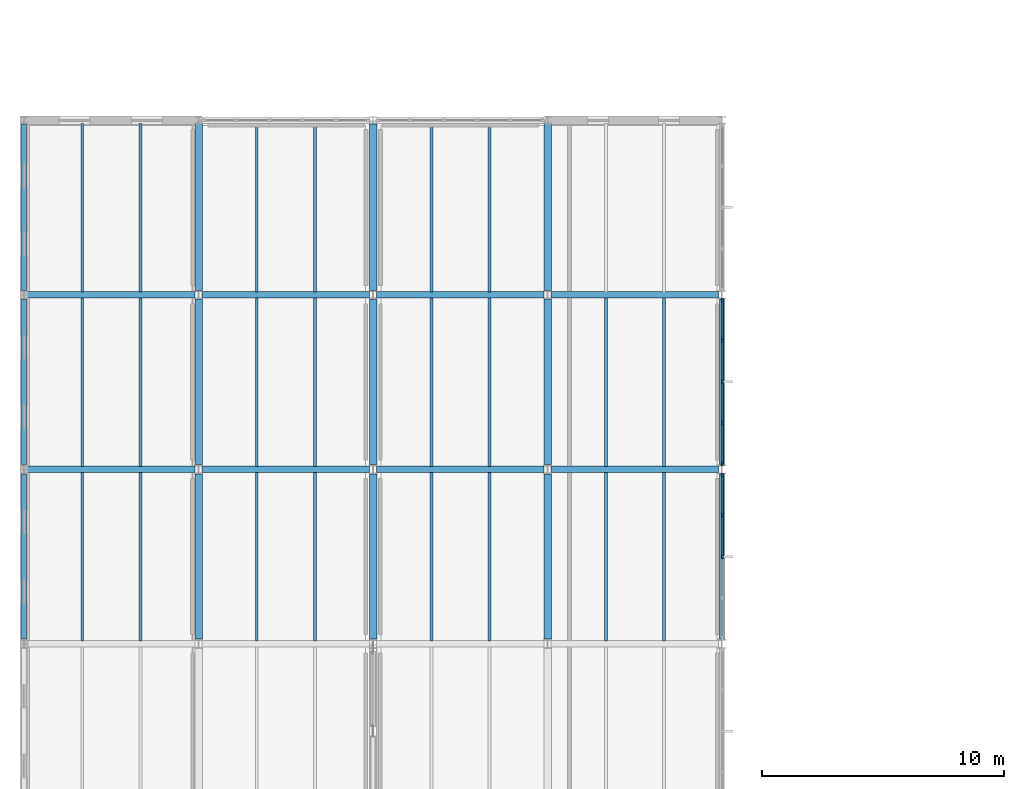
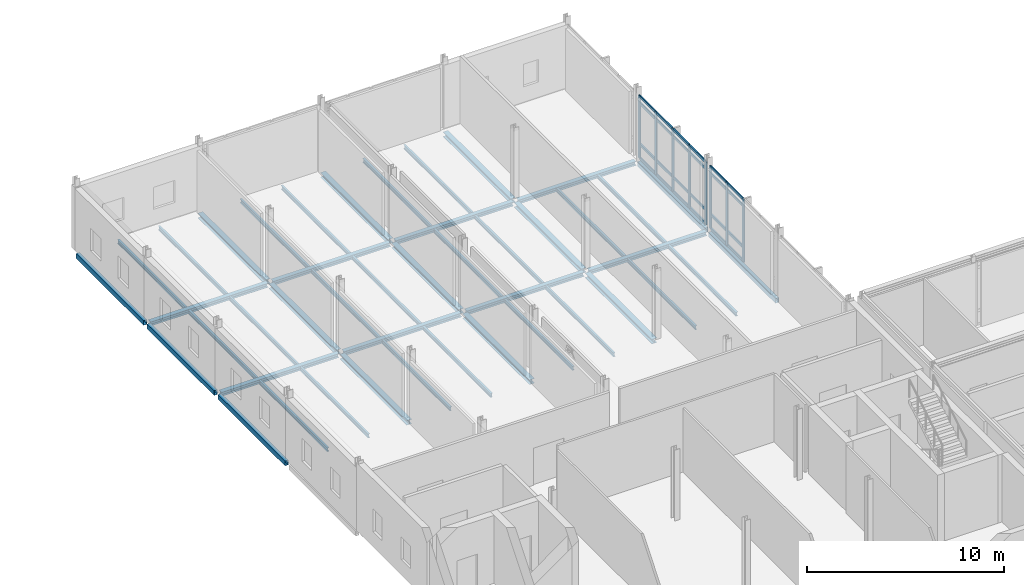
# One storey, part 12 of 43: 44 beams, 32 members, 2 elements without a shape of their own.
"""IFC4 building model written with IfcOpenShell, lengths in metres."""

from ifc_helpers import new_model, si_unit, direction, frame, origin, origin_2d, place, context, subcontext, project, spatial, rectangle, hollow_rectangle, i_section, extrude, material, layer, layer_set, material_profile, profile_set, type_object, element, aggregate, save


model = new_model("IFC4")

# Units and contexts
model_context = context("Model", 3, precision=1e-05, world=origin(), true_north=direction((0.0, 1.0)))
body_context = subcontext(model_context, "Body", "Model", "MODEL_VIEW")
ifc_project = project(units=[si_unit("LENGTHUNIT", "METRE"), si_unit("AREAUNIT", "SQUARE_METRE"), si_unit("VOLUMEUNIT", "CUBIC_METRE"), si_unit("PLANEANGLEUNIT", "RADIAN"), si_unit("MASSUNIT", "GRAM", prefix="KILO")], contexts=[model_context])

# Site, building, storey
site_placement = place(None, origin())
site = spatial("IfcSite", under=ifc_project, at=site_placement, CompositionType="ELEMENT")
building_placement = place(site_placement, origin())
building = spatial("IfcBuilding", under=site, at=building_placement, Name="Zarrinpeak Specialist Clinic", CompositionType="ELEMENT")
storey_placement = place(building_placement, frame((0.0, 0.0, 18.39990234375)))
storey = spatial("IfcBuildingStorey", under=building, at=storey_placement, Name="L04", CompositionType="ELEMENT", Elevation=18.39990234375)

# Beams
ifc_material_1 = material(Name="Steel S355", Category="steel")
ifc_material_profile_1 = material_profile(ifc_material_1, i_section(OverallWidth=0.260009765625, OverallDepth=0.25, WebThickness=0.007568359375, FlangeThickness=0.012451171875, FilletRadius=0.02392578125, at=origin_2d()), Name="HEA 260")
ifc_profile_set_1 = profile_set([ifc_material_profile_1], Name="Steel S355")
beam_type_1 = type_object("IfcBeamType", Name="BM-HEA260", PredefinedType="BEAM", material=ifc_profile_set_1)
for number, where, z_axis, x_axis, name in (
    (1, (0.14794921875, 36.0, -0.324951171875), (1.0, 0.0, 0.0), (0.0, 1.0, 0.0), "L04 Primary Floor Girder BM-L04-X1851"),
    (2, (7.347900390625, 36.0, -0.324951171875), (1.0, 0.0, 0.0), (0.0, 1.0, 0.0), "L04 Primary Floor Girder BM-L04-X1852"),
):
    element("IfcBeam", number, at=place(storey_placement, frame(where, z_axis=z_axis, x_axis=x_axis)), inside=storey, type_object=beam_type_1, Name=name, PredefinedType="BEAM", context=body_context, shape_type="SweptSolid", body=[
        extrude(i_section(OverallWidth=0.260009765625, OverallDepth=0.25, WebThickness=0.007568359375, FlangeThickness=0.012451171875, FilletRadius=0.02392578125, at=origin_2d()), origin(), (0.0, 0.0, 1.0), 6.904052734375),
    ])
beam_1_placement = place(storey_placement, frame((14.548095703125, 36.0, -0.324951171875), z_axis=(1.0, 0.0, 0.0), x_axis=(0.0, 1.0, 0.0)))
element("IfcBeam", 3, at=beam_1_placement, inside=storey, type_object=beam_type_1, Name="L04 Primary Floor Girder BM-L04-X1853", PredefinedType="BEAM", context=body_context, shape_type="SweptSolid", body=[
    extrude(i_section(OverallWidth=0.260009765625, OverallDepth=0.25, WebThickness=0.007568359375, FlangeThickness=0.012451171875, FilletRadius=0.02392578125, at=origin_2d()), origin(), (0.0, 0.0, 1.0), 6.90380859375),
])
for number, where, z_axis, x_axis, name in (
    (4, (21.748046875, 36.0, -0.324951171875), (1.0, 0.0, 0.0), (0.0, 1.0, 0.0), "L04 Primary Floor Girder BM-L04-X1854"),
    (5, (0.14794921875, 43.199951171875, -0.324951171875), (1.0, 0.0, 0.0), (0.0, 1.0, 0.0), "L04 Primary Floor Girder BM-L04-X1855"),
    (6, (7.347900390625, 43.199951171875, -0.324951171875), (1.0, 0.0, 0.0), (0.0, 1.0, 0.0), "L04 Primary Floor Girder BM-L04-X1856"),
):
    element("IfcBeam", number, at=place(storey_placement, frame(where, z_axis=z_axis, x_axis=x_axis)), inside=storey, type_object=beam_type_1, Name=name, PredefinedType="BEAM", context=body_context, shape_type="SweptSolid", body=[
        extrude(i_section(OverallWidth=0.260009765625, OverallDepth=0.25, WebThickness=0.007568359375, FlangeThickness=0.012451171875, FilletRadius=0.02392578125, at=origin_2d()), origin(), (0.0, 0.0, 1.0), 6.904052734375),
    ])
beam_2_placement = place(storey_placement, frame((14.548095703125, 43.199951171875, -0.324951171875), z_axis=(1.0, 0.0, 0.0), x_axis=(0.0, 1.0, 0.0)))
element("IfcBeam", 7, at=beam_2_placement, inside=storey, type_object=beam_type_1, Name="L04 Primary Floor Girder BM-L04-X1857", PredefinedType="BEAM", context=body_context, shape_type="SweptSolid", body=[
    extrude(i_section(OverallWidth=0.260009765625, OverallDepth=0.25, WebThickness=0.007568359375, FlangeThickness=0.012451171875, FilletRadius=0.02392578125, at=origin_2d()), origin(), (0.0, 0.0, 1.0), 6.90380859375),
])
beam_3_placement = place(storey_placement, frame((21.748046875, 43.199951171875, -0.324951171875), z_axis=(1.0, 0.0, 0.0), x_axis=(0.0, 1.0, 0.0)))
element("IfcBeam", 8, at=beam_3_placement, inside=storey, type_object=beam_type_1, Name="L04 Primary Floor Girder BM-L04-X1858", PredefinedType="BEAM", context=body_context, shape_type="SweptSolid", body=[
    extrude(i_section(OverallWidth=0.260009765625, OverallDepth=0.25, WebThickness=0.007568359375, FlangeThickness=0.012451171875, FilletRadius=0.02392578125, at=origin_2d()), origin(), (0.0, 0.0, 1.0), 6.904052734375),
])
ifc_material_profile_2 = material_profile(ifc_material_1, i_section(OverallWidth=0.300048828125, OverallDepth=0.2900390625, WebThickness=0.008544921875, FlangeThickness=0.013916015625, FilletRadius=0.027099609375, at=origin_2d()), Name="HEA 300")
ifc_profile_set_2 = profile_set([ifc_material_profile_2], Name="Steel S355")
beam_type_2 = type_object("IfcBeamType", Name="BM-HEA300", PredefinedType="BEAM", material=ifc_profile_set_2)
beam_4_placement = place(storey_placement, frame((7.199951171875, 28.998046875, -0.344970703125), z_axis=(0.0, 1.0, 0.0), x_axis=(-1.0, 0.0, 0.0)))
element("IfcBeam", 9, at=beam_4_placement, inside=storey, type_object=beam_type_2, Name="L04 Primary Beam BM-L04-Y1889", PredefinedType="BEAM", context=body_context, shape_type="SweptSolid", body=[
    extrude(i_section(OverallWidth=0.300048828125, OverallDepth=0.2900390625, WebThickness=0.008544921875, FlangeThickness=0.013916015625, FilletRadius=0.027099609375, at=origin_2d()), origin(), (0.0, 0.0, 1.0), 6.803955078125),
])
beam_5_placement = place(storey_placement, frame((7.199951171875, 36.197998046875, -0.344970703125), z_axis=(0.0, 1.0, 0.0), x_axis=(-1.0, 0.0, 0.0)))
element("IfcBeam", 10, at=beam_5_placement, inside=storey, type_object=beam_type_2, Name="L04 Primary Beam BM-L04-Y1890", PredefinedType="BEAM", context=body_context, shape_type="SweptSolid", body=[
    extrude(i_section(OverallWidth=0.300048828125, OverallDepth=0.2900390625, WebThickness=0.008544921875, FlangeThickness=0.013916015625, FilletRadius=0.027099609375, at=origin_2d()), origin(), (0.0, 0.0, 1.0), 6.823974609375),
])
beam_6_placement = place(storey_placement, frame((7.199951171875, 43.3779296875, -0.344970703125), z_axis=(0.0, 1.0, 0.0), x_axis=(-1.0, 0.0, 0.0)))
element("IfcBeam", 11, at=beam_6_placement, inside=storey, type_object=beam_type_2, Name="L04 Primary Beam BM-L04-Y1891", PredefinedType="BEAM", context=body_context, shape_type="SweptSolid", body=[
    extrude(i_section(OverallWidth=0.300048828125, OverallDepth=0.2900390625, WebThickness=0.008544921875, FlangeThickness=0.013916015625, FilletRadius=0.027099609375, at=origin_2d()), origin(), (0.0, 0.0, 1.0), 6.864013671875),
])
beam_7_placement = place(storey_placement, frame((14.39990234375, 28.998046875, -0.344970703125), z_axis=(0.0, 1.0, 0.0), x_axis=(-1.0, 0.0, 0.0)))
element("IfcBeam", 12, at=beam_7_placement, inside=storey, type_object=beam_type_2, Name="L04 Primary Beam BM-L04-Y1896", PredefinedType="BEAM", context=body_context, shape_type="SweptSolid", body=[
    extrude(i_section(OverallWidth=0.300048828125, OverallDepth=0.2900390625, WebThickness=0.008544921875, FlangeThickness=0.013916015625, FilletRadius=0.027099609375, at=origin_2d()), origin(), (0.0, 0.0, 1.0), 6.803955078125),
])
beam_8_placement = place(storey_placement, frame((14.39990234375, 36.197998046875, -0.344970703125), z_axis=(0.0, 1.0, 0.0), x_axis=(-1.0, 0.0, 0.0)))
element("IfcBeam", 13, at=beam_8_placement, inside=storey, type_object=beam_type_2, Name="L04 Primary Beam BM-L04-Y1897", PredefinedType="BEAM", context=body_context, shape_type="SweptSolid", body=[
    extrude(i_section(OverallWidth=0.300048828125, OverallDepth=0.2900390625, WebThickness=0.008544921875, FlangeThickness=0.013916015625, FilletRadius=0.027099609375, at=origin_2d()), origin(), (0.0, 0.0, 1.0), 6.823974609375),
])
beam_9_placement = place(storey_placement, frame((14.39990234375, 43.3779296875, -0.344970703125), z_axis=(0.0, 1.0, 0.0), x_axis=(-1.0, 0.0, 0.0)))
element("IfcBeam", 14, at=beam_9_placement, inside=storey, type_object=beam_type_2, Name="L04 Primary Beam BM-L04-Y1898", PredefinedType="BEAM", context=body_context, shape_type="SweptSolid", body=[
    extrude(i_section(OverallWidth=0.300048828125, OverallDepth=0.2900390625, WebThickness=0.008544921875, FlangeThickness=0.013916015625, FilletRadius=0.027099609375, at=origin_2d()), origin(), (0.0, 0.0, 1.0), 6.864013671875),
])
beam_10_placement = place(storey_placement, frame((21.60009765625, 28.998046875, -0.344970703125), z_axis=(0.0, 1.0, 0.0), x_axis=(-1.0, 0.0, 0.0)))
element("IfcBeam", 15, at=beam_10_placement, inside=storey, type_object=beam_type_2, Name="L04 Primary Beam BM-L04-Y1903", PredefinedType="BEAM", context=body_context, shape_type="SweptSolid", body=[
    extrude(i_section(OverallWidth=0.300048828125, OverallDepth=0.2900390625, WebThickness=0.008544921875, FlangeThickness=0.013916015625, FilletRadius=0.027099609375, at=origin_2d()), origin(), (0.0, 0.0, 1.0), 6.803955078125),
])
beam_11_placement = place(storey_placement, frame((21.60009765625, 36.197998046875, -0.344970703125), z_axis=(0.0, 1.0, 0.0), x_axis=(-1.0, 0.0, 0.0)))
element("IfcBeam", 16, at=beam_11_placement, inside=storey, type_object=beam_type_2, Name="L04 Primary Beam BM-L04-Y1904", PredefinedType="BEAM", context=body_context, shape_type="SweptSolid", body=[
    extrude(i_section(OverallWidth=0.300048828125, OverallDepth=0.2900390625, WebThickness=0.008544921875, FlangeThickness=0.013916015625, FilletRadius=0.027099609375, at=origin_2d()), origin(), (0.0, 0.0, 1.0), 6.823974609375),
])
beam_12_placement = place(storey_placement, frame((21.60009765625, 43.3779296875, -0.344970703125), z_axis=(0.0, 1.0, 0.0), x_axis=(-1.0, 0.0, 0.0)))
element("IfcBeam", 17, at=beam_12_placement, inside=storey, type_object=beam_type_2, Name="L04 Primary Beam BM-L04-Y1905", PredefinedType="BEAM", context=body_context, shape_type="SweptSolid", body=[
    extrude(i_section(OverallWidth=0.300048828125, OverallDepth=0.2900390625, WebThickness=0.008544921875, FlangeThickness=0.013916015625, FilletRadius=0.027099609375, at=origin_2d()), origin(), (0.0, 0.0, 1.0), 6.864013671875),
])
ifc_material_profile_3 = material_profile(ifc_material_1, i_section(OverallWidth=0.1201171875, OverallDepth=0.239990234375, WebThickness=0.006103515625, FlangeThickness=0.009765625, FilletRadius=0.014892578125, at=origin_2d()), Name="IPE 240")
ifc_profile_set_3 = profile_set([ifc_material_profile_3], Name="Steel S355")
beam_type_3 = type_object("IfcBeamType", Name="BM-JST240", PredefinedType="JOIST", material=ifc_profile_set_3)
for number, where, z_axis, x_axis, name in (
    (18, (2.39990234375, 28.927978515625, -0.31982421875), (0.0, 1.0, 0.0), (-1.0, 0.0, 0.0), "L04 Composite Floor Joist JST-L04-1947"),
    (19, (4.800048828125, 28.927978515625, -0.31982421875), (0.0, 1.0, 0.0), (-1.0, 0.0, 0.0), "L04 Composite Floor Joist JST-L04-1948"),
    (20, (2.39990234375, 36.1279296875, -0.31982421875), (0.0, 1.0, 0.0), (-1.0, 0.0, 0.0), "L04 Composite Floor Joist JST-L04-1949"),
    (21, (4.800048828125, 36.1279296875, -0.31982421875), (0.0, 1.0, 0.0), (-1.0, 0.0, 0.0), "L04 Composite Floor Joist JST-L04-1950"),
    (22, (2.39990234375, 43.327880859375, -0.31982421875), (0.0, 1.0, 0.0), (-1.0, 0.0, 0.0), "L04 Composite Floor Joist JST-L04-1951"),
    (23, (4.800048828125, 43.327880859375, -0.31982421875), (0.0, 1.0, 0.0), (-1.0, 0.0, 0.0), "L04 Composite Floor Joist JST-L04-1952"),
    (24, (9.60009765625, 28.927978515625, -0.31982421875), (0.0, 1.0, 0.0), (-1.0, 0.0, 0.0), "L04 Composite Floor Joist JST-L04-1961"),
    (25, (12.0, 28.927978515625, -0.31982421875), (0.0, 1.0, 0.0), (-1.0, 0.0, 0.0), "L04 Composite Floor Joist JST-L04-1962"),
    (26, (9.60009765625, 36.1279296875, -0.31982421875), (0.0, 1.0, 0.0), (-1.0, 0.0, 0.0), "L04 Composite Floor Joist JST-L04-1963"),
    (27, (12.0, 36.1279296875, -0.31982421875), (0.0, 1.0, 0.0), (-1.0, 0.0, 0.0), "L04 Composite Floor Joist JST-L04-1964"),
    (28, (9.60009765625, 43.327880859375, -0.31982421875), (0.0, 1.0, 0.0), (-1.0, 0.0, 0.0), "L04 Composite Floor Joist JST-L04-1965"),
    (29, (12.0, 43.327880859375, -0.31982421875), (0.0, 1.0, 0.0), (-1.0, 0.0, 0.0), "L04 Composite Floor Joist JST-L04-1966"),
    (30, (16.800048828125, 28.927978515625, -0.31982421875), (0.0, 1.0, 0.0), (-1.0, 0.0, 0.0), "L04 Composite Floor Joist JST-L04-1975"),
    (31, (19.199951171875, 28.927978515625, -0.31982421875), (0.0, 1.0, 0.0), (-1.0, 0.0, 0.0), "L04 Composite Floor Joist JST-L04-1976"),
    (32, (16.800048828125, 36.1279296875, -0.31982421875), (0.0, 1.0, 0.0), (-1.0, 0.0, 0.0), "L04 Composite Floor Joist JST-L04-1977"),
    (33, (19.199951171875, 36.1279296875, -0.31982421875), (0.0, 1.0, 0.0), (-1.0, 0.0, 0.0), "L04 Composite Floor Joist JST-L04-1978"),
    (34, (16.800048828125, 43.327880859375, -0.31982421875), (0.0, 1.0, 0.0), (-1.0, 0.0, 0.0), "L04 Composite Floor Joist JST-L04-1979"),
    (35, (19.199951171875, 43.327880859375, -0.31982421875), (0.0, 1.0, 0.0), (-1.0, 0.0, 0.0), "L04 Composite Floor Joist JST-L04-1980"),
    (36, (24.0, 28.927978515625, -0.31982421875), (0.0, 1.0, 0.0), (-1.0, 0.0, 0.0), "L04 Composite Floor Joist JST-L04-1983"),
    (37, (26.39990234375, 28.927978515625, -0.31982421875), (0.0, 1.0, 0.0), (-1.0, 0.0, 0.0), "L04 Composite Floor Joist JST-L04-1984"),
    (38, (24.0, 36.1279296875, -0.31982421875), (0.0, 1.0, 0.0), (-1.0, 0.0, 0.0), "L04 Composite Floor Joist JST-L04-1985"),
    (39, (26.39990234375, 36.1279296875, -0.31982421875), (0.0, 1.0, 0.0), (-1.0, 0.0, 0.0), "L04 Composite Floor Joist JST-L04-1986"),
):
    element("IfcBeam", number, at=place(storey_placement, frame(where, z_axis=z_axis, x_axis=x_axis)), inside=storey, type_object=beam_type_3, Name=name, PredefinedType="JOIST", context=body_context, shape_type="SweptSolid", body=[
        extrude(i_section(OverallWidth=0.1201171875, OverallDepth=0.239990234375, WebThickness=0.006103515625, FlangeThickness=0.009765625, FilletRadius=0.014892578125, at=origin_2d()), origin(), (0.0, 0.0, 1.0), 6.944091796875),
    ])
ifc_material_profile_4 = material_profile(ifc_material_1, hollow_rectangle(XDim=0.199951171875, YDim=0.300048828125, WallThickness=0.012451171875, at=origin_2d()), Name="RHS 300x200x12.5")
ifc_profile_set_4 = profile_set([ifc_material_profile_4], Name="Steel S355")
beam_type_4 = type_object("IfcBeamType", Name="BM-SP300", PredefinedType="SPANDREL", material=ifc_profile_set_4)
beam_13_placement = place(storey_placement, frame((0.0, 28.998046875, -0.349853515625), z_axis=(0.0, 1.0, 0.0), x_axis=(-1.0, 0.0, 0.0)))
element("IfcBeam", 40, at=beam_13_placement, inside=storey, type_object=beam_type_4, Name="L04 Perimeter Spandrel Beam BM-L04-Y1882", PredefinedType="SPANDREL", context=body_context, shape_type="SweptSolid", body=[
    extrude(hollow_rectangle(XDim=0.199951171875, YDim=0.300048828125, WallThickness=0.012451171875, at=origin_2d()), origin(), (0.0, 0.0, 1.0), 6.803955078125),
])
beam_14_placement = place(storey_placement, frame((0.0, 36.197998046875, -0.349853515625), z_axis=(0.0, 1.0, 0.0), x_axis=(-1.0, 0.0, 0.0)))
element("IfcBeam", 41, at=beam_14_placement, inside=storey, type_object=beam_type_4, Name="L04 Perimeter Spandrel Beam BM-L04-Y1883", PredefinedType="SPANDREL", context=body_context, shape_type="SweptSolid", body=[
    extrude(hollow_rectangle(XDim=0.199951171875, YDim=0.300048828125, WallThickness=0.012451171875, at=origin_2d()), origin(), (0.0, 0.0, 1.0), 6.823974609375),
])
beam_15_placement = place(storey_placement, frame((0.0, 43.3779296875, -0.349853515625), z_axis=(0.0, 1.0, 0.0), x_axis=(-1.0, 0.0, 0.0)))
element("IfcBeam", 42, at=beam_15_placement, inside=storey, type_object=beam_type_4, Name="L04 Perimeter Spandrel Beam BM-L04-Y1884", PredefinedType="SPANDREL", context=body_context, shape_type="SweptSolid", body=[
    extrude(hollow_rectangle(XDim=0.199951171875, YDim=0.300048828125, WallThickness=0.012451171875, at=origin_2d()), origin(), (0.0, 0.0, 1.0), 6.864013671875),
])
beam_16_placement = place(storey_placement, frame((28.800048828125, 28.998046875, -0.349853515625), z_axis=(0.0, 1.0, 0.0), x_axis=(-1.0, 0.0, 0.0)))
element("IfcBeam", 43, at=beam_16_placement, inside=storey, type_object=beam_type_4, Name="L04 Perimeter Spandrel Beam BM-L04-Y1907", PredefinedType="SPANDREL", context=body_context, shape_type="SweptSolid", body=[
    extrude(hollow_rectangle(XDim=0.199951171875, YDim=0.300048828125, WallThickness=0.012451171875, at=origin_2d()), origin(), (0.0, 0.0, 1.0), 6.803955078125),
])
beam_17_placement = place(storey_placement, frame((28.800048828125, 36.197998046875, -0.349853515625), z_axis=(0.0, 1.0, 0.0), x_axis=(-1.0, 0.0, 0.0)))
element("IfcBeam", 44, at=beam_17_placement, inside=storey, type_object=beam_type_4, Name="L04 Perimeter Spandrel Beam BM-L04-Y1908", PredefinedType="SPANDREL", context=body_context, shape_type="SweptSolid", body=[
    extrude(hollow_rectangle(XDim=0.199951171875, YDim=0.300048828125, WallThickness=0.012451171875, at=origin_2d()), origin(), (0.0, 0.0, 1.0), 6.823974609375),
])

# Curtain wall, members
ifc_material_2 = material(Name="Anodised Aluminium Alloy 6063-T6", Category="aluminium")
ifc_layer = layer(ifc_material_2, 0.179931640625)
ifc_layer_set = layer_set([ifc_layer], Name="Anodised Aluminium Alloy 6063-T6")
curtain_wall_type = type_object("IfcCurtainWallType", Name="CW-COURT", PredefinedType="NOTDEFINED", material=ifc_layer_set)
curtain_wall_1_placement = place(storey_placement, origin())
curtain_wall_1 = element("IfcCurtainWall", 45, at=curtain_wall_1_placement, inside=storey, type_object=curtain_wall_type, Name="L04 V1 Unitised Curtain Wall CW-L04-V1-028", PredefinedType="NOTDEFINED")
ifc_material_profile_5 = material_profile(ifc_material_2, rectangle(XDim=0.074951171875, YDim=0.179931640625, at=origin_2d()), Name="ALU 75x180")
ifc_profile_set_5 = profile_set([ifc_material_profile_5], Name="Anodised Aluminium Alloy 6063-T6")
member_type_1 = type_object("IfcMemberType", Name="CWM-75", PredefinedType="MULLION", material=ifc_profile_set_5)
member_1_placement = place(storey_placement, frame((28.800048828125, 32.39990234375, 0.0), z_axis=(0.0, 0.0, 1.0), x_axis=(-1.0, 0.0, 0.0)))
member_1 = element("IfcMember", 46, at=member_1_placement, type_object=member_type_1, Name="CW-01 mullion 3", PredefinedType="MULLION", context=body_context, shape_type="SweptSolid", body=[
    extrude(rectangle(XDim=0.074951171875, YDim=0.179931640625, at=origin_2d()), origin(), (0.0, 0.0, 1.0), 3.900146484375),
])
member_2_placement = place(storey_placement, frame((28.800048828125, 34.097412109375, 0.0), z_axis=(0.0, 0.0, 1.0), x_axis=(-1.0, 0.0, 0.0)))
member_2 = element("IfcMember", 47, at=member_2_placement, type_object=member_type_1, Name="CW-01 mullion 4", PredefinedType="MULLION", context=body_context, shape_type="SweptSolid", body=[
    extrude(rectangle(XDim=0.074951171875, YDim=0.179931640625, at=origin_2d()), origin(), (0.0, 0.0, 1.0), 3.900146484375),
])
member_3_placement = place(storey_placement, frame((28.800048828125, 35.757568359375, 0.0), z_axis=(0.0, 0.0, 1.0), x_axis=(-1.0, 0.0, 0.0)))
member_3 = element("IfcMember", 48, at=member_3_placement, type_object=member_type_1, Name="CW-01 mullion 5", PredefinedType="MULLION", context=body_context, shape_type="SweptSolid", body=[
    extrude(rectangle(XDim=0.074951171875, YDim=0.179931640625, at=origin_2d()), origin(), (0.0, 0.0, 1.0), 3.900146484375),
])

curtain_wall_2_placement = place(storey_placement, origin())
curtain_wall_2 = element("IfcCurtainWall", 49, at=curtain_wall_2_placement, inside=storey, type_object=curtain_wall_type, Name="L04 V1 Unitised Curtain Wall CW-L04-V1-029", PredefinedType="NOTDEFINED")
member_4_placement = place(storey_placement, frame((28.800048828125, 36.242431640625, 0.0), z_axis=(0.0, 0.0, 1.0), x_axis=(-1.0, 0.0, 0.0)))
member_4 = element("IfcMember", 50, at=member_4_placement, type_object=member_type_1, Name="CW-01 mullion 1", PredefinedType="MULLION", context=body_context, shape_type="SweptSolid", body=[
    extrude(rectangle(XDim=0.074951171875, YDim=0.179931640625, at=origin_2d()), origin(), (0.0, 0.0, 1.0), 3.900146484375),
])
member_5_placement = place(storey_placement, frame((28.800048828125, 37.907470703125, 0.0), z_axis=(0.0, 0.0, 1.0), x_axis=(-1.0, 0.0, 0.0)))
member_5 = element("IfcMember", 51, at=member_5_placement, type_object=member_type_1, Name="CW-01 mullion 2", PredefinedType="MULLION", context=body_context, shape_type="SweptSolid", body=[
    extrude(rectangle(XDim=0.074951171875, YDim=0.179931640625, at=origin_2d()), origin(), (0.0, 0.0, 1.0), 3.900146484375),
])
member_6_placement = place(storey_placement, frame((28.800048828125, 39.610107421875, 0.0), z_axis=(0.0, 0.0, 1.0), x_axis=(-1.0, 0.0, 0.0)))
member_6 = element("IfcMember", 52, at=member_6_placement, type_object=member_type_1, Name="CW-01 mullion 3", PredefinedType="MULLION", context=body_context, shape_type="SweptSolid", body=[
    extrude(rectangle(XDim=0.074951171875, YDim=0.179931640625, at=origin_2d()), origin(), (0.0, 0.0, 1.0), 3.900146484375),
])
member_7_placement = place(storey_placement, frame((28.800048828125, 41.3125, 0.0), z_axis=(0.0, 0.0, 1.0), x_axis=(-1.0, 0.0, 0.0)))
member_7 = element("IfcMember", 53, at=member_7_placement, type_object=member_type_1, Name="CW-01 mullion 4", PredefinedType="MULLION", context=body_context, shape_type="SweptSolid", body=[
    extrude(rectangle(XDim=0.074951171875, YDim=0.179931640625, at=origin_2d()), origin(), (0.0, 0.0, 1.0), 3.900146484375),
])
member_8_placement = place(storey_placement, frame((28.800048828125, 42.9775390625, 0.0), z_axis=(0.0, 0.0, 1.0), x_axis=(-1.0, 0.0, 0.0)))
member_8 = element("IfcMember", 54, at=member_8_placement, type_object=member_type_1, Name="CW-01 mullion 5", PredefinedType="MULLION", context=body_context, shape_type="SweptSolid", body=[
    extrude(rectangle(XDim=0.074951171875, YDim=0.179931640625, at=origin_2d()), origin(), (0.0, 0.0, 1.0), 3.900146484375),
])

# Member
ifc_material_profile_6 = material_profile(ifc_material_2, rectangle(XDim=0.074951171875, YDim=0.159912109375, at=origin_2d()), Name="ALU 75x160")
ifc_profile_set_6 = profile_set([ifc_material_profile_6], Name="Anodised Aluminium Alloy 6063-T6")
member_type_2 = type_object("IfcMemberType", Name="CWT-75", PredefinedType="USERDEFINED", material=ifc_profile_set_6)
member_9_placement = place(storey_placement, frame((28.800048828125, 32.4375, 0.03759765625), z_axis=(0.0, 1.0, 0.0), x_axis=(-1.0, 0.0, 0.0)))
member_9 = element("IfcMember", 55, at=member_9_placement, type_object=member_type_2, Name="CW-01 transom 3.1", ObjectType="TRANSOM", PredefinedType="USERDEFINED", context=body_context, shape_type="SweptSolid", body=[
    extrude(rectangle(XDim=0.074951171875, YDim=0.159912109375, at=origin_2d()), origin(), (0.0, 0.0, 1.0), 1.62255859375),
])

member_10_placement = place(storey_placement, frame((28.800048828125, 32.4375, 0.900146484375), z_axis=(0.0, 1.0, 0.0), x_axis=(-1.0, 0.0, 0.0)))
member_10 = element("IfcMember", 56, at=member_10_placement, type_object=member_type_2, Name="CW-01 transom 3.2", ObjectType="TRANSOM", PredefinedType="USERDEFINED", context=body_context, shape_type="SweptSolid", body=[
    extrude(rectangle(XDim=0.074951171875, YDim=0.159912109375, at=origin_2d()), origin(), (0.0, 0.0, 1.0), 1.62255859375),
])

member_11_placement = place(storey_placement, frame((28.800048828125, 32.4375, 3.4501953125), z_axis=(0.0, 1.0, 0.0), x_axis=(-1.0, 0.0, 0.0)))
member_11 = element("IfcMember", 57, at=member_11_placement, type_object=member_type_2, Name="CW-01 transom 3.3", ObjectType="TRANSOM", PredefinedType="USERDEFINED", context=body_context, shape_type="SweptSolid", body=[
    extrude(rectangle(XDim=0.074951171875, YDim=0.159912109375, at=origin_2d()), origin(), (0.0, 0.0, 1.0), 1.62255859375),
])

member_12_placement = place(storey_placement, frame((28.800048828125, 32.4375, 3.862548828125), z_axis=(0.0, 1.0, 0.0), x_axis=(-1.0, 0.0, 0.0)))
member_12 = element("IfcMember", 58, at=member_12_placement, type_object=member_type_2, Name="CW-01 transom 3.4", ObjectType="TRANSOM", PredefinedType="USERDEFINED", context=body_context, shape_type="SweptSolid", body=[
    extrude(rectangle(XDim=0.074951171875, YDim=0.159912109375, at=origin_2d()), origin(), (0.0, 0.0, 1.0), 1.62255859375),
])

member_13_placement = place(storey_placement, frame((28.800048828125, 34.135009765625, 0.03759765625), z_axis=(0.0, 1.0, 0.0), x_axis=(-1.0, 0.0, 0.0)))
member_13 = element("IfcMember", 59, at=member_13_placement, type_object=member_type_2, Name="CW-01 transom 4.1", ObjectType="TRANSOM", PredefinedType="USERDEFINED", context=body_context, shape_type="SweptSolid", body=[
    extrude(rectangle(XDim=0.074951171875, YDim=0.159912109375, at=origin_2d()), origin(), (0.0, 0.0, 1.0), 1.5849609375),
])

member_14_placement = place(storey_placement, frame((28.800048828125, 34.135009765625, 0.900146484375), z_axis=(0.0, 1.0, 0.0), x_axis=(-1.0, 0.0, 0.0)))
member_14 = element("IfcMember", 60, at=member_14_placement, type_object=member_type_2, Name="CW-01 transom 4.2", ObjectType="TRANSOM", PredefinedType="USERDEFINED", context=body_context, shape_type="SweptSolid", body=[
    extrude(rectangle(XDim=0.074951171875, YDim=0.159912109375, at=origin_2d()), origin(), (0.0, 0.0, 1.0), 1.5849609375),
])

member_15_placement = place(storey_placement, frame((28.800048828125, 34.135009765625, 3.4501953125), z_axis=(0.0, 1.0, 0.0), x_axis=(-1.0, 0.0, 0.0)))
member_15 = element("IfcMember", 61, at=member_15_placement, type_object=member_type_2, Name="CW-01 transom 4.3", ObjectType="TRANSOM", PredefinedType="USERDEFINED", context=body_context, shape_type="SweptSolid", body=[
    extrude(rectangle(XDim=0.074951171875, YDim=0.159912109375, at=origin_2d()), origin(), (0.0, 0.0, 1.0), 1.5849609375),
])

member_16_placement = place(storey_placement, frame((28.800048828125, 34.135009765625, 3.862548828125), z_axis=(0.0, 1.0, 0.0), x_axis=(-1.0, 0.0, 0.0)))
member_16 = element("IfcMember", 62, at=member_16_placement, type_object=member_type_2, Name="CW-01 transom 4.4", ObjectType="TRANSOM", PredefinedType="USERDEFINED", context=body_context, shape_type="SweptSolid", body=[
    extrude(rectangle(XDim=0.074951171875, YDim=0.159912109375, at=origin_2d()), origin(), (0.0, 0.0, 1.0), 1.5849609375),
])

aggregate(curtain_wall_1, [member_1, member_2, member_3, member_9, member_10, member_11, member_12, member_13, member_14, member_15, member_16])

member_17_placement = place(storey_placement, frame((28.800048828125, 36.280029296875, 0.03759765625), z_axis=(0.0, 1.0, 0.0), x_axis=(-1.0, 0.0, 0.0)))
member_17 = element("IfcMember", 63, at=member_17_placement, type_object=member_type_2, Name="CW-01 transom 1.1", ObjectType="TRANSOM", PredefinedType="USERDEFINED", context=body_context, shape_type="SweptSolid", body=[
    extrude(rectangle(XDim=0.074951171875, YDim=0.159912109375, at=origin_2d()), origin(), (0.0, 0.0, 1.0), 1.590087890625),
])

member_18_placement = place(storey_placement, frame((28.800048828125, 36.280029296875, 0.900146484375), z_axis=(0.0, 1.0, 0.0), x_axis=(-1.0, 0.0, 0.0)))
member_18 = element("IfcMember", 64, at=member_18_placement, type_object=member_type_2, Name="CW-01 transom 1.2", ObjectType="TRANSOM", PredefinedType="USERDEFINED", context=body_context, shape_type="SweptSolid", body=[
    extrude(rectangle(XDim=0.074951171875, YDim=0.159912109375, at=origin_2d()), origin(), (0.0, 0.0, 1.0), 1.590087890625),
])

member_19_placement = place(storey_placement, frame((28.800048828125, 36.280029296875, 3.4501953125), z_axis=(0.0, 1.0, 0.0), x_axis=(-1.0, 0.0, 0.0)))
member_19 = element("IfcMember", 65, at=member_19_placement, type_object=member_type_2, Name="CW-01 transom 1.3", ObjectType="TRANSOM", PredefinedType="USERDEFINED", context=body_context, shape_type="SweptSolid", body=[
    extrude(rectangle(XDim=0.074951171875, YDim=0.159912109375, at=origin_2d()), origin(), (0.0, 0.0, 1.0), 1.590087890625),
])

member_20_placement = place(storey_placement, frame((28.800048828125, 36.280029296875, 3.862548828125), z_axis=(0.0, 1.0, 0.0), x_axis=(-1.0, 0.0, 0.0)))
member_20 = element("IfcMember", 66, at=member_20_placement, type_object=member_type_2, Name="CW-01 transom 1.4", ObjectType="TRANSOM", PredefinedType="USERDEFINED", context=body_context, shape_type="SweptSolid", body=[
    extrude(rectangle(XDim=0.074951171875, YDim=0.159912109375, at=origin_2d()), origin(), (0.0, 0.0, 1.0), 1.590087890625),
])

member_21_placement = place(storey_placement, frame((28.800048828125, 37.945068359375, 0.03759765625), z_axis=(0.0, 1.0, 0.0), x_axis=(-1.0, 0.0, 0.0)))
member_21 = element("IfcMember", 67, at=member_21_placement, type_object=member_type_2, Name="CW-01 transom 2.1", ObjectType="TRANSOM", PredefinedType="USERDEFINED", context=body_context, shape_type="SweptSolid", body=[
    extrude(rectangle(XDim=0.074951171875, YDim=0.159912109375, at=origin_2d()), origin(), (0.0, 0.0, 1.0), 1.62744140625),
])

member_22_placement = place(storey_placement, frame((28.800048828125, 37.945068359375, 0.900146484375), z_axis=(0.0, 1.0, 0.0), x_axis=(-1.0, 0.0, 0.0)))
member_22 = element("IfcMember", 68, at=member_22_placement, type_object=member_type_2, Name="CW-01 transom 2.2", ObjectType="TRANSOM", PredefinedType="USERDEFINED", context=body_context, shape_type="SweptSolid", body=[
    extrude(rectangle(XDim=0.074951171875, YDim=0.159912109375, at=origin_2d()), origin(), (0.0, 0.0, 1.0), 1.62744140625),
])

member_23_placement = place(storey_placement, frame((28.800048828125, 37.945068359375, 3.4501953125), z_axis=(0.0, 1.0, 0.0), x_axis=(-1.0, 0.0, 0.0)))
member_23 = element("IfcMember", 69, at=member_23_placement, type_object=member_type_2, Name="CW-01 transom 2.3", ObjectType="TRANSOM", PredefinedType="USERDEFINED", context=body_context, shape_type="SweptSolid", body=[
    extrude(rectangle(XDim=0.074951171875, YDim=0.159912109375, at=origin_2d()), origin(), (0.0, 0.0, 1.0), 1.62744140625),
])

member_24_placement = place(storey_placement, frame((28.800048828125, 37.945068359375, 3.862548828125), z_axis=(0.0, 1.0, 0.0), x_axis=(-1.0, 0.0, 0.0)))
member_24 = element("IfcMember", 70, at=member_24_placement, type_object=member_type_2, Name="CW-01 transom 2.4", ObjectType="TRANSOM", PredefinedType="USERDEFINED", context=body_context, shape_type="SweptSolid", body=[
    extrude(rectangle(XDim=0.074951171875, YDim=0.159912109375, at=origin_2d()), origin(), (0.0, 0.0, 1.0), 1.62744140625),
])

member_25_placement = place(storey_placement, frame((28.800048828125, 39.6474609375, 0.03759765625), z_axis=(0.0, 1.0, 0.0), x_axis=(-1.0, 0.0, 0.0)))
member_25 = element("IfcMember", 71, at=member_25_placement, type_object=member_type_2, Name="CW-01 transom 3.1", ObjectType="TRANSOM", PredefinedType="USERDEFINED", context=body_context, shape_type="SweptSolid", body=[
    extrude(rectangle(XDim=0.074951171875, YDim=0.159912109375, at=origin_2d()), origin(), (0.0, 0.0, 1.0), 1.62744140625),
])

member_26_placement = place(storey_placement, frame((28.800048828125, 39.6474609375, 0.900146484375), z_axis=(0.0, 1.0, 0.0), x_axis=(-1.0, 0.0, 0.0)))
member_26 = element("IfcMember", 72, at=member_26_placement, type_object=member_type_2, Name="CW-01 transom 3.2", ObjectType="TRANSOM", PredefinedType="USERDEFINED", context=body_context, shape_type="SweptSolid", body=[
    extrude(rectangle(XDim=0.074951171875, YDim=0.159912109375, at=origin_2d()), origin(), (0.0, 0.0, 1.0), 1.62744140625),
])

member_27_placement = place(storey_placement, frame((28.800048828125, 39.6474609375, 3.4501953125), z_axis=(0.0, 1.0, 0.0), x_axis=(-1.0, 0.0, 0.0)))
member_27 = element("IfcMember", 73, at=member_27_placement, type_object=member_type_2, Name="CW-01 transom 3.3", ObjectType="TRANSOM", PredefinedType="USERDEFINED", context=body_context, shape_type="SweptSolid", body=[
    extrude(rectangle(XDim=0.074951171875, YDim=0.159912109375, at=origin_2d()), origin(), (0.0, 0.0, 1.0), 1.62744140625),
])

member_28_placement = place(storey_placement, frame((28.800048828125, 39.6474609375, 3.862548828125), z_axis=(0.0, 1.0, 0.0), x_axis=(-1.0, 0.0, 0.0)))
member_28 = element("IfcMember", 74, at=member_28_placement, type_object=member_type_2, Name="CW-01 transom 3.4", ObjectType="TRANSOM", PredefinedType="USERDEFINED", context=body_context, shape_type="SweptSolid", body=[
    extrude(rectangle(XDim=0.074951171875, YDim=0.159912109375, at=origin_2d()), origin(), (0.0, 0.0, 1.0), 1.62744140625),
])

member_29_placement = place(storey_placement, frame((28.800048828125, 41.35009765625, 0.03759765625), z_axis=(0.0, 1.0, 0.0), x_axis=(-1.0, 0.0, 0.0)))
member_29 = element("IfcMember", 75, at=member_29_placement, type_object=member_type_2, Name="CW-01 transom 4.1", ObjectType="TRANSOM", PredefinedType="USERDEFINED", context=body_context, shape_type="SweptSolid", body=[
    extrude(rectangle(XDim=0.074951171875, YDim=0.159912109375, at=origin_2d()), origin(), (0.0, 0.0, 1.0), 1.58984375),
])

member_30_placement = place(storey_placement, frame((28.800048828125, 41.35009765625, 0.900146484375), z_axis=(0.0, 1.0, 0.0), x_axis=(-1.0, 0.0, 0.0)))
member_30 = element("IfcMember", 76, at=member_30_placement, type_object=member_type_2, Name="CW-01 transom 4.2", ObjectType="TRANSOM", PredefinedType="USERDEFINED", context=body_context, shape_type="SweptSolid", body=[
    extrude(rectangle(XDim=0.074951171875, YDim=0.159912109375, at=origin_2d()), origin(), (0.0, 0.0, 1.0), 1.58984375),
])

member_31_placement = place(storey_placement, frame((28.800048828125, 41.35009765625, 3.4501953125), z_axis=(0.0, 1.0, 0.0), x_axis=(-1.0, 0.0, 0.0)))
member_31 = element("IfcMember", 77, at=member_31_placement, type_object=member_type_2, Name="CW-01 transom 4.3", ObjectType="TRANSOM", PredefinedType="USERDEFINED", context=body_context, shape_type="SweptSolid", body=[
    extrude(rectangle(XDim=0.074951171875, YDim=0.159912109375, at=origin_2d()), origin(), (0.0, 0.0, 1.0), 1.58984375),
])

member_32_placement = place(storey_placement, frame((28.800048828125, 41.35009765625, 3.862548828125), z_axis=(0.0, 1.0, 0.0), x_axis=(-1.0, 0.0, 0.0)))
member_32 = element("IfcMember", 78, at=member_32_placement, type_object=member_type_2, Name="CW-01 transom 4.4", ObjectType="TRANSOM", PredefinedType="USERDEFINED", context=body_context, shape_type="SweptSolid", body=[
    extrude(rectangle(XDim=0.074951171875, YDim=0.159912109375, at=origin_2d()), origin(), (0.0, 0.0, 1.0), 1.58984375),
])

aggregate(curtain_wall_2, [member_4, member_5, member_6, member_7, member_8, member_17, member_18, member_19, member_20, member_21, member_22, member_23, member_24, member_25, member_26, member_27, member_28, member_29, member_30, member_31, member_32])

save(model, "model.ifc")
